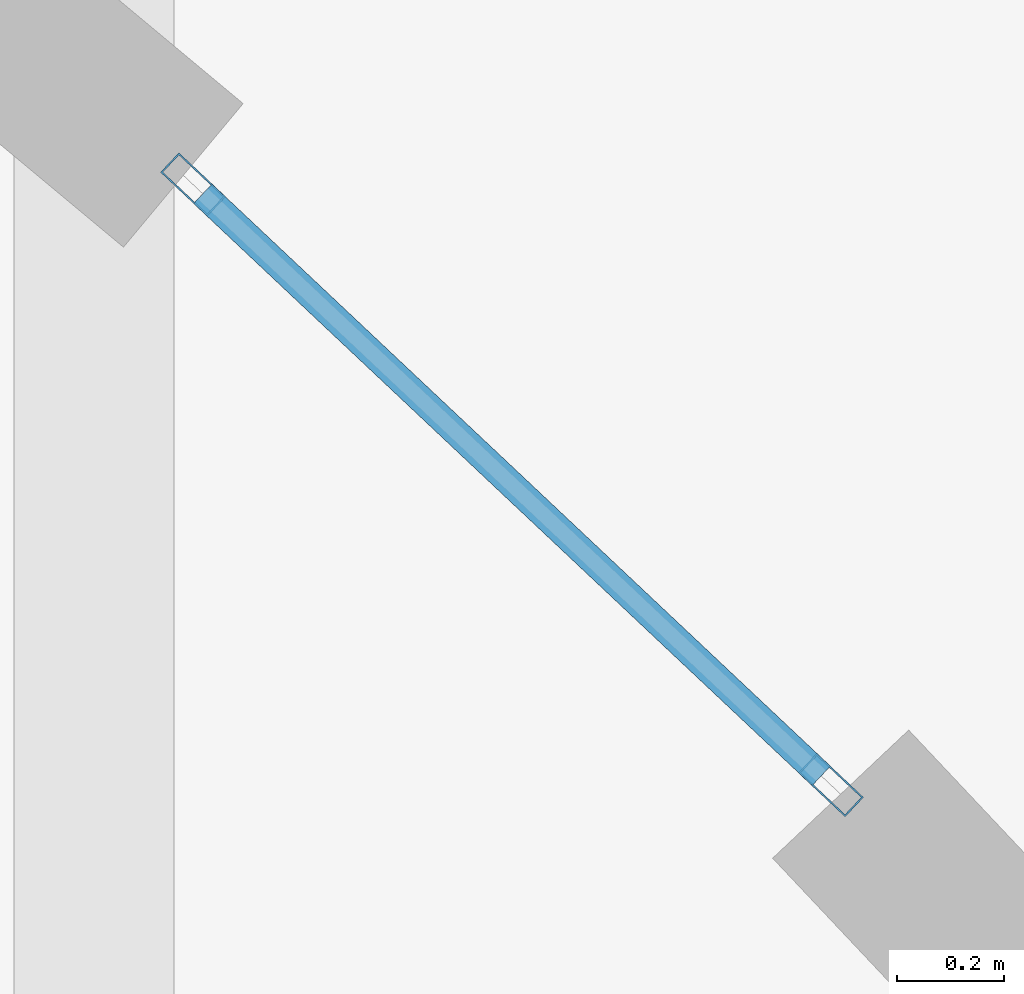
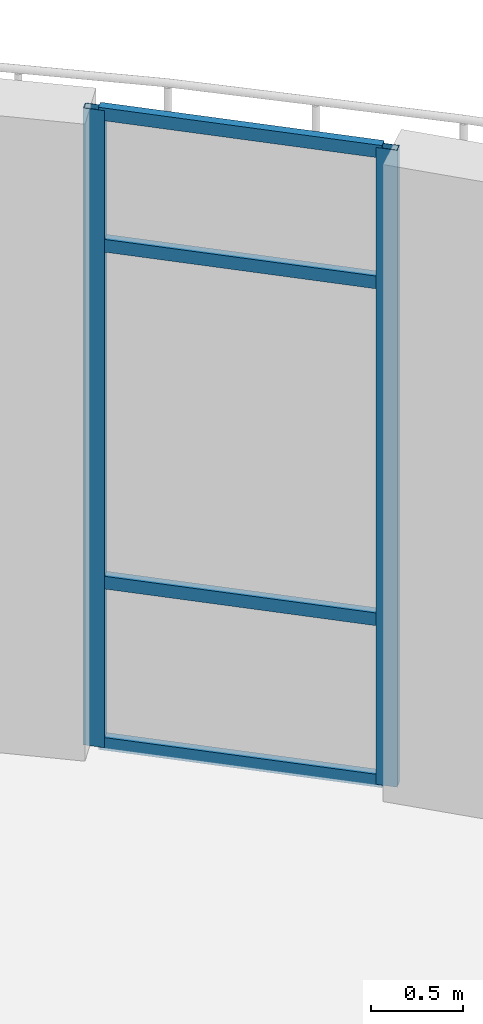
# One storey, part 10 of 26: 6 members, 1 element without a shape of its own.
"""IFC4 building model written with IfcOpenShell, lengths in metres."""

from ifc_helpers import new_model, si_unit, direction, frame, origin, origin_2d, place, context, subcontext, project, spatial, hollow_rectangle, extrude, material, layer, layer_set, material_profile, profile_set, type_object, element, aggregate, save


model = new_model("IFC4")

# Units and contexts
model_context = context("Model", 3, precision=1e-05, world=origin(), true_north=direction((0.0, 1.0)))
body_context = subcontext(model_context, "Body", "Model", "MODEL_VIEW")
ifc_project = project(units=[si_unit("LENGTHUNIT", "METRE"), si_unit("AREAUNIT", "SQUARE_METRE"), si_unit("VOLUMEUNIT", "CUBIC_METRE"), si_unit("PLANEANGLEUNIT", "RADIAN"), si_unit("MASSUNIT", "GRAM", prefix="KILO"), si_unit("THERMODYNAMICTEMPERATUREUNIT", "KELVIN")], contexts=[model_context])

# Site, building, storey
site_placement = place(None, origin())
site = spatial("IfcSite", under=ifc_project, at=site_placement, CompositionType="ELEMENT")
building_placement = place(site_placement, origin())
building = spatial("IfcBuilding", under=site, at=building_placement, Name="Lustrewick Department Store", CompositionType="ELEMENT")
storey_placement = place(building_placement, frame((0.0, 0.0, 36.300048828125)))
storey = spatial("IfcBuildingStorey", under=building, at=storey_placement, Name="L08", CompositionType="ELEMENT", Elevation=36.300048828125)

# Curtain wall, members
ifc_material = material(Name="Thermally broken aluminium 6063-T5", Category="aluminium")
ifc_layer = layer(ifc_material, 0.1201171875, Name="Thermally broken aluminium 6063-T5")
ifc_layer_set = layer_set([ifc_layer], Name="Thermally broken aluminium 6063-T5")
curtain_wall_type = type_object("IfcCurtainWallType", Name="CW08", PredefinedType="NOTDEFINED", material=ifc_layer_set)
curtain_wall_placement = place(storey_placement, origin())
curtain_wall = element("IfcCurtainWall", 1, at=curtain_wall_placement, inside=storey, type_object=curtain_wall_type, Name="L08 V4 Curtain Wall CW08", PredefinedType="NOTDEFINED")
ifc_material_profile_1 = material_profile(ifc_material, hollow_rectangle(XDim=0.050048828125, YDim=0.1201171875, WallThickness=0.0029296875, at=origin_2d()), Name="ALU-M 50x120x3")
ifc_profile_set_1 = profile_set([ifc_material_profile_1], Name="Thermally broken aluminium 6063-T5")
member_type_1 = type_object("IfcMemberType", Name="CW08-M1", PredefinedType="MULLION", material=ifc_profile_set_1)
member_1_placement = place(storey_placement, frame((135.78076171875, 79.416015625, 0.0), z_axis=(0.0, 0.0, 1.0), x_axis=(-0.68541080258, -0.72815659834, 0.0)))
member_1 = element("IfcMember", 2, at=member_1_placement, type_object=member_type_1, Name="CW08 mullion 1", PredefinedType="MULLION", context=body_context, shape_type="SweptSolid", body=[
    extrude(hollow_rectangle(XDim=0.050048828125, YDim=0.1201171875, WallThickness=0.0029296875, at=origin_2d()), origin(), (0.0, 0.0, 1.0), 4.244873046875),
])
member_2_placement = place(storey_placement, frame((134.585693359375, 80.541259765625, 0.0), z_axis=(0.0, 0.0, 1.0), x_axis=(-0.68541080258, -0.72815659834, 0.0)))
member_2 = element("IfcMember", 3, at=member_2_placement, type_object=member_type_1, Name="CW08 mullion 2", PredefinedType="MULLION", context=body_context, shape_type="SweptSolid", body=[
    extrude(hollow_rectangle(XDim=0.050048828125, YDim=0.1201171875, WallThickness=0.0029296875, at=origin_2d()), origin(), (0.0, 0.0, 1.0), 4.244873046875),
])
ifc_material_profile_2 = material_profile(ifc_material, hollow_rectangle(XDim=0.050048828125, YDim=0.0849609375, WallThickness=0.0029296875, at=origin_2d()), Name="ALU-T 50x85x3")
ifc_profile_set_2 = profile_set([ifc_material_profile_2], Name="Thermally broken aluminium 6063-T5")
member_type_2 = type_object("IfcMemberType", Name="CW08-T1", PredefinedType="USERDEFINED", material=ifc_profile_set_2)
member_3_placement = place(storey_placement, frame((135.7626953125, 79.433349609375, 0.02490234375), z_axis=(-0.728258540883, 0.685302486228, 0.0), x_axis=(-0.685302486228, -0.728258540883, 0.0)))
member_3 = element("IfcMember", 4, at=member_3_placement, type_object=member_type_2, Name="CW08 transom 1.1", ObjectType="TRANSOM", PredefinedType="USERDEFINED", context=body_context, shape_type="SweptSolid", body=[
    extrude(hollow_rectangle(XDim=0.050048828125, YDim=0.0849609375, WallThickness=0.0029296875, at=origin_2d()), origin(), (0.0, 0.0, 1.0), 1.59130859375),
])
member_4_placement = place(storey_placement, frame((135.7626953125, 79.433349609375, 1.099853515625), z_axis=(-0.728258540883, 0.685302486228, 0.0), x_axis=(-0.685302486228, -0.728258540883, 0.0)))
member_4 = element("IfcMember", 5, at=member_4_placement, type_object=member_type_2, Name="CW08 transom 1.2", ObjectType="TRANSOM", PredefinedType="USERDEFINED", context=body_context, shape_type="SweptSolid", body=[
    extrude(hollow_rectangle(XDim=0.050048828125, YDim=0.0849609375, WallThickness=0.0029296875, at=origin_2d()), origin(), (0.0, 0.0, 1.0), 1.59130859375),
])
member_5_placement = place(storey_placement, frame((135.7626953125, 79.433349609375, 3.344970703125), z_axis=(-0.728258540883, 0.685302486228, 0.0), x_axis=(-0.685302486228, -0.728258540883, 0.0)))
member_5 = element("IfcMember", 6, at=member_5_placement, type_object=member_type_2, Name="CW08 transom 1.3", ObjectType="TRANSOM", PredefinedType="USERDEFINED", context=body_context, shape_type="SweptSolid", body=[
    extrude(hollow_rectangle(XDim=0.050048828125, YDim=0.0849609375, WallThickness=0.0029296875, at=origin_2d()), origin(), (0.0, 0.0, 1.0), 1.59130859375),
])
member_6_placement = place(storey_placement, frame((135.7626953125, 79.433349609375, 4.219970703125), z_axis=(-0.728258540883, 0.685302486228, 0.0), x_axis=(-0.685302486228, -0.728258540883, 0.0)))
member_6 = element("IfcMember", 7, at=member_6_placement, type_object=member_type_2, Name="CW08 transom 1.4", ObjectType="TRANSOM", PredefinedType="USERDEFINED", context=body_context, shape_type="SweptSolid", body=[
    extrude(hollow_rectangle(XDim=0.050048828125, YDim=0.0849609375, WallThickness=0.0029296875, at=origin_2d()), origin(), (0.0, 0.0, 1.0), 1.59130859375),
])
aggregate(curtain_wall, [member_1, member_2, member_3, member_4, member_5, member_6])

save(model, "model.ifc")
